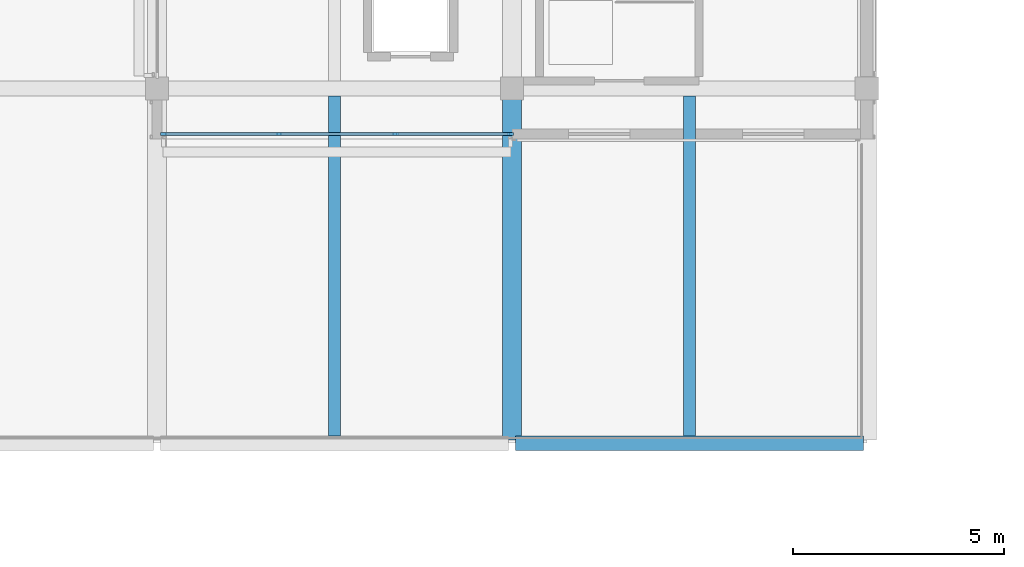
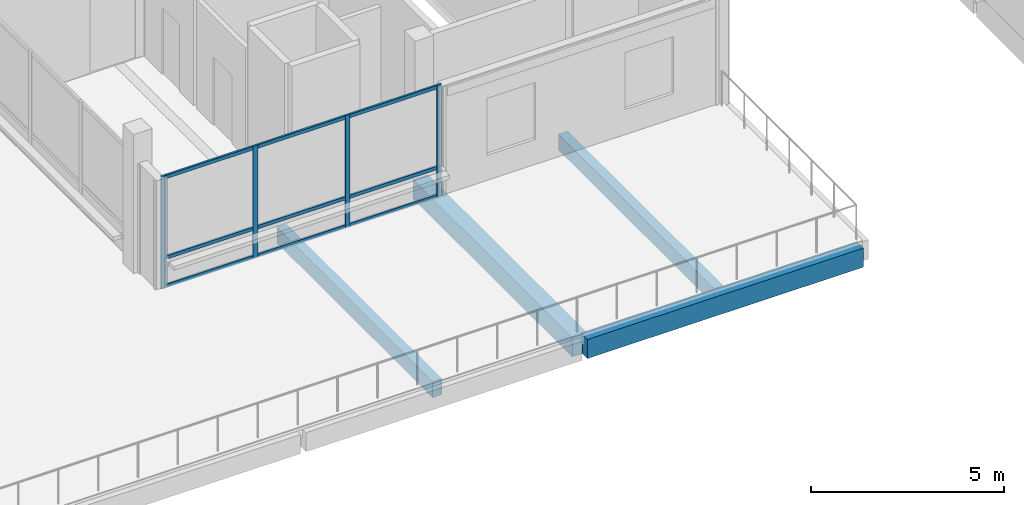
# One storey, part 2 of 59: 13 members, 4 beams, 1 element without a shape of its own.
"""IFC4 building model written with IfcOpenShell, lengths in metres."""

import ifcopenshell
import ifcopenshell.guid

model = None  # the IFC model being written
_history = None  # IfcOwnerHistory: only IFC2X3 demands one
_inside = {}  # id of a spatial element -> (the spatial element, [elements in it])
_under = {}  # id of a project, library or spatial element -> (it, [spatial elements below it])
_declared = {}  # id of a project -> (the project, [libraries it declares])
_typed = {}  # id of a type object -> (the type object, [elements of that type])
_made_of = {}  # id of a material, layer set ... -> (it, [elements and type objects made of it])


def new_model(schema):
    """Start an empty IFC model of exactly this schema.

    Asked for "IFC4X3", IfcOpenShell would pick the latest addendum, in which some entities
    have other attributes; the version numbers below select the first issue.
    IFC2X3 requires an IfcOwnerHistory on every rooted entity: one is made here for all.
    """
    global model, _history
    if schema == "IFC4X3":
        model = ifcopenshell.file(schema_version=(4, 3, 0, 0))
    else:
        model = ifcopenshell.file(schema=schema)
    _inside.clear()
    _under.clear()
    _declared.clear()
    _typed.clear()
    _made_of.clear()
    _history = None
    if model.schema == "IFC2X3":
        org = make("IfcOrganization", Name="unknown")
        user = make(
            "IfcPersonAndOrganization",
            ThePerson=make("IfcPerson", FamilyName="unknown"),
            TheOrganization=org,
        )
        app = make(
            "IfcApplication",
            ApplicationDeveloper=org,
            Version="unknown",
            ApplicationFullName="unknown",
            ApplicationIdentifier="unknown",
        )
        _history = make(
            "IfcOwnerHistory",
            OwningUser=user,
            OwningApplication=app,
            ChangeAction="ADDED",
            CreationDate=0,
        )
    return model


def make(cls, **values):
    """One entity of the class cls with the attributes given. An attribute that is None is left unset."""
    return model.create_entity(
        cls, **{name: value for name, value in values.items() if value is not None}
    )


def rooted(cls, **values):
    """An entity with a GlobalId (a new one), such as an element, a storey or a relation."""
    return make(cls, GlobalId=ifcopenshell.guid.new(), OwnerHistory=_history, **values)


def si_unit(unit_type, name, prefix=None):
    """IfcSIUnit, for example si_unit("LENGTHUNIT", "METRE", prefix="MILLI")."""
    return make("IfcSIUnit", UnitType=unit_type, Prefix=prefix, Name=name)


def assignment(units):
    """IfcUnitAssignment: the units of a project."""
    return None if units is None else make("IfcUnitAssignment", Units=units)


def point(xyz):
    """IfcCartesianPoint."""
    return None if xyz is None else make("IfcCartesianPoint", Coordinates=xyz)


def direction(xyz):
    """IfcDirection."""
    return None if xyz is None else make("IfcDirection", DirectionRatios=xyz)


def frame(location, z_axis=None, x_axis=None):
    """IfcAxis2Placement3D, a coordinate frame: its origin and axes. An axis left out is left unset."""
    return make(
        "IfcAxis2Placement3D",
        Location=point(location),
        Axis=direction(z_axis),
        RefDirection=direction(x_axis),
    )


def frame_2d(location, x_axis=None):
    """IfcAxis2Placement2D, a coordinate frame in the plane: its origin and x axis."""
    return make(
        "IfcAxis2Placement2D", Location=point(location), RefDirection=direction(x_axis)
    )


def origin():
    """The frame at (0, 0, 0) with its axes left unset."""
    return frame((0.0, 0.0, 0.0))


def origin_2d():
    """The frame at (0, 0) in the plane with its x axis left unset."""
    return frame_2d((0.0, 0.0))


def place(relative_to, where):
    """IfcLocalPlacement: puts the frame where relative to a parent placement (None: the world)."""
    return make(
        "IfcLocalPlacement", PlacementRelTo=relative_to, RelativePlacement=where
    )


def context(
    kind, dimensions, precision=None, world=None, true_north=None, identifier=None
):
    """IfcGeometricRepresentationContext, for example the 3D "Model" context."""
    return make(
        "IfcGeometricRepresentationContext",
        ContextIdentifier=identifier,
        ContextType=kind,
        CoordinateSpaceDimension=dimensions,
        Precision=precision,
        WorldCoordinateSystem=world,
        TrueNorth=true_north,
    )


def subcontext(parent, identifier, kind, view, scale=None):
    """IfcGeometricRepresentationSubContext, for example "Body" below "Model"."""
    return make(
        "IfcGeometricRepresentationSubContext",
        ContextIdentifier=identifier,
        ContextType=kind,
        ParentContext=parent,
        TargetScale=scale,
        TargetView=view,
    )


def project(units=None, contexts=None):
    """IfcProject with its units and contexts."""
    return rooted(
        "IfcProject",
        Name="project",
        RepresentationContexts=contexts,
        UnitsInContext=assignment(units),
    )


def spatial(cls, under=None, at=None, **own):
    """A site, building, storey or space (cls), placed at a placement, below another one or the project."""
    s = rooted(cls, ObjectPlacement=at, **own)
    if under is not None:
        _under.setdefault(under.id(), (under, []))[1].append(s)
    return s


def profile(cls, at=None, kind="AREA", **sizes):
    """A parametric profile (cls). Its sizes go by their IFC names, for example OverallWidth=200.0."""
    return make(cls, ProfileType=kind, Position=at, **sizes)


def rectangle(**sizes):
    """IfcRectangleProfileDef."""
    return profile("IfcRectangleProfileDef", **sizes)


def extrude(swept, where, along, depth):
    """IfcExtrudedAreaSolid: the profile swept, set in the frame where, extruded along a direction by depth."""
    return make(
        "IfcExtrudedAreaSolid",
        SweptArea=swept,
        Position=where,
        ExtrudedDirection=direction(along),
        Depth=depth,
    )


def shape(context_of_items, identifier, shape_type, items):
    """IfcShapeRepresentation: the items that make up one representation, for example the "Body"."""
    return make(
        "IfcShapeRepresentation",
        ContextOfItems=context_of_items,
        RepresentationIdentifier=identifier,
        RepresentationType=shape_type,
        Items=items,
    )


def material(Name=None, Category=None):
    """IfcMaterial."""
    return make("IfcMaterial", Name=Name, Category=Category)


def layer(
    of_material, thickness, ventilated=None, Name=None, Category=None, Priority=None
):
    """IfcMaterialLayer: one layer of a wall or slab, of a material (None: an air gap)."""
    return make(
        "IfcMaterialLayer",
        Material=of_material,
        LayerThickness=thickness,
        IsVentilated=ventilated,
        Name=Name,
        Category=Category,
        Priority=Priority,
    )


def layer_set(layers, Name=None):
    """IfcMaterialLayerSet."""
    return make("IfcMaterialLayerSet", MaterialLayers=layers, LayerSetName=Name)


def material_profile(
    of_material, cross_section, Name=None, Category=None, Priority=None
):
    """IfcMaterialProfile: a cross section and its material."""
    return make(
        "IfcMaterialProfile",
        Name=Name,
        Material=of_material,
        Profile=cross_section,
        Priority=Priority,
        Category=Category,
    )


def profile_set(profiles, Name=None, composite=None):
    """IfcMaterialProfileSet."""
    return make(
        "IfcMaterialProfileSet",
        Name=Name,
        MaterialProfiles=profiles,
        CompositeProfile=composite,
    )


def made_of(thing, what):
    """Note that an element or type object is made of a material, layer set ...; save() writes the relation."""
    if what is not None:
        _made_of.setdefault(what.id(), (what, []))[1].append(thing)
    return thing


def type_object(cls, material=None, **own):
    """A type object (cls), such as IfcWallType, which elements share."""
    return made_of(rooted(cls, **own), material)


def element(
    cls,
    number,
    at=None,
    inside=None,
    cuts=None,
    type_object=None,
    material=None,
    context=None,
    identifier="Body",
    shape_type=None,
    held_by="IfcProductDefinitionShape",
    body=None,
    shapes=None,
    **own,
):
    """One element of the class cls, such as IfcWall. Its Tag is "e" and its number.

    at: its placement. inside: the storey or other place that contains it. cuts: it is an
    opening in that element (IfcRelVoidsElement). A single representation is given by context,
    identifier, shape_type and body (its items); several are given by shapes. held_by: the class
    of the entity that holds the representations. save() writes the other relations.
    """
    e = rooted(cls, Tag="e%d" % number, ObjectPlacement=at, **own)
    if body is not None:
        shapes = [shape(context, identifier, shape_type, body)]
    if shapes is not None:
        e.Representation = make(held_by, Representations=shapes)
    if inside is not None:
        _inside.setdefault(inside.id(), (inside, []))[1].append(e)
    if cuts is not None:
        rooted(
            "IfcRelVoidsElement", RelatingBuildingElement=cuts, RelatedOpeningElement=e
        )
    if type_object is not None:
        _typed.setdefault(type_object.id(), (type_object, []))[1].append(e)
    return made_of(e, material)


def aggregate(whole, parts):
    """IfcRelAggregates: a whole, such as a stair, and the parts it consists of."""
    return rooted("IfcRelAggregates", RelatingObject=whole, RelatedObjects=parts)


def save(model, path):
    """Write the relations noted so far, then the file.

    IfcRelAggregates (storeys below a building ...), IfcRelContainedInSpatialStructure (elements
    in a storey), IfcRelDefinesByType, IfcRelAssociatesMaterial and IfcRelDeclares: one each for
    every whole, place, type object, material and project.
    """
    for whole, parts in _under.values():
        aggregate(whole, parts)
    for where, things in _inside.values():
        rooted(
            "IfcRelContainedInSpatialStructure",
            RelatedElements=things,
            RelatingStructure=where,
        )
    for kind, things in _typed.values():
        rooted("IfcRelDefinesByType", RelatedObjects=things, RelatingType=kind)
    for what, things in _made_of.values():
        rooted("IfcRelAssociatesMaterial", RelatedObjects=things, RelatingMaterial=what)
    for by, libraries in _declared.values():
        rooted("IfcRelDeclares", RelatingContext=by, RelatedDefinitions=libraries)
    model.write(path)


model = new_model("IFC4")

# Units and contexts
model_context = context("Model", 3, precision=1e-05, world=origin(), true_north=direction((0.0, 1.0)))
body_context = subcontext(model_context, "Body", "Model", "MODEL_VIEW")
ifc_project = project(units=[si_unit("LENGTHUNIT", "METRE"), si_unit("AREAUNIT", "SQUARE_METRE"), si_unit("VOLUMEUNIT", "CUBIC_METRE"), si_unit("PLANEANGLEUNIT", "RADIAN"), si_unit("MASSUNIT", "GRAM", prefix="KILO")], contexts=[model_context])

# Site, building, storey
site_placement = place(None, origin())
site = spatial("IfcSite", under=ifc_project, at=site_placement, CompositionType="ELEMENT")
building_placement = place(site_placement, origin())
building = spatial("IfcBuilding", under=site, at=building_placement, Name="Telukmera Botanical Conservatory", CompositionType="ELEMENT")
storey_placement = place(building_placement, frame((0.0, 0.0, 15.0)))
storey = spatial("IfcBuildingStorey", under=building, at=storey_placement, Name="L03", CompositionType="ELEMENT", Elevation=15.0)

# Beams
ifc_material_1 = material(Name="Concrete C40/50", Category="concrete")
ifc_material_profile_1 = material_profile(ifc_material_1, rectangle(XDim=0.449951171875, YDim=0.60009765625, at=origin_2d()), Name="RC 450x600")
ifc_profile_set_1 = profile_set([ifc_material_profile_1], Name="Concrete C40/50")
beam_type_1 = type_object("IfcBeamType", Name="Beam_B17", PredefinedType="BEAM", material=ifc_profile_set_1)
beam_1_placement = place(storey_placement, frame((33.60009765625, 17.679931640625, -0.300048828125), z_axis=(0.0, 1.0, 0.0), x_axis=(-1.0, 0.0, 0.0)))
element("IfcBeam", 1, at=beam_1_placement, inside=storey, type_object=beam_type_1, Name="Visitor Wing Transverse Beam L03", PredefinedType="BEAM", context=body_context, shape_type="SweptSolid", body=[
    extrude(rectangle(XDim=0.449951171875, YDim=0.60009765625, at=origin_2d()), origin(), (0.0, 0.0, 1.0), 8.239990234375),
])
ifc_material_profile_2 = material_profile(ifc_material_1, rectangle(XDim=0.280029296875, YDim=0.5, at=origin_2d()), Name="RC 280x500")
ifc_profile_set_2 = profile_set([ifc_material_profile_2], Name="Concrete C40/50")
beam_type_2 = type_object("IfcBeamType", Name="Beam_B26", PredefinedType="JOIST", material=ifc_profile_set_2)
for number, where, z_axis, x_axis, name in (
    (2, (29.39990234375, 17.77490234375, -0.25), (0.0, 1.0, 0.0), (-1.0, 0.0, 0.0), "Visitor Wing Floor Joist L03"),
    (3, (37.800048828125, 17.77490234375, -0.25), (0.0, 1.0, 0.0), (-1.0, 0.0, 0.0), "Visitor Wing Floor Joist L03"),
):
    element("IfcBeam", number, at=place(storey_placement, frame(where, z_axis=z_axis, x_axis=x_axis)), inside=storey, type_object=beam_type_2, Name=name, PredefinedType="JOIST", context=body_context, shape_type="SweptSolid", body=[
        extrude(rectangle(XDim=0.280029296875, YDim=0.5, at=origin_2d()), origin(), (0.0, 0.0, 1.0), 8.050048828125),
    ])
ifc_material_profile_3 = material_profile(ifc_material_1, rectangle(XDim=0.35009765625, YDim=0.60009765625, at=origin_2d()), Name="RC 350x600")
ifc_profile_set_3 = profile_set([ifc_material_profile_3], Name="Concrete C40/50")
beam_type_3 = type_object("IfcBeamType", Name="Beam_B9", PredefinedType="BEAM", material=ifc_profile_set_3)
beam_2_placement = place(storey_placement, frame((33.679931640625, 17.60009765625, -0.300048828125), z_axis=(1.0, 0.0, 0.0), x_axis=(0.0, 1.0, 0.0)))
element("IfcBeam", 4, at=beam_2_placement, inside=storey, type_object=beam_type_3, Name="Visitor Wing Grid Beam L03", PredefinedType="BEAM", context=body_context, shape_type="SweptSolid", body=[
    extrude(rectangle(XDim=0.35009765625, YDim=0.60009765625, at=origin_2d()), origin(), (0.0, 0.0, 1.0), 8.239990234375),
])

# Curtain wall, members
ifc_material_2 = material(Name="Anodised aluminium 6063-T6", Category="aluminium")
ifc_layer = layer(ifc_material_2, 0.179931640625)
ifc_layer_set = layer_set([ifc_layer], Name="Anodised aluminium 6063-T6")
curtain_wall_type = type_object("IfcCurtainWallType", Name="Visitor Rooftop Lounge Terrace Curtain Wall", PredefinedType="USERDEFINED", material=ifc_layer_set)
curtain_wall_placement = place(storey_placement, origin())
curtain_wall = element("IfcCurtainWall", 5, at=curtain_wall_placement, inside=storey, type_object=curtain_wall_type, Name="Unitised Curtain Wall CW11 V3:L03:S1", ObjectType="UNITISED CURTAIN WALL", PredefinedType="USERDEFINED")
ifc_material_profile_4 = material_profile(ifc_material_2, rectangle(XDim=0.06005859375, YDim=0.139892578125, at=origin_2d()), Name="ALU MULL 60x140")
ifc_profile_set_4 = profile_set([ifc_material_profile_4], Name="Anodised aluminium 6063-T6")
member_type_1 = type_object("IfcMemberType", Name="Curtain Wall Extruded Mullion 60x140", PredefinedType="MULLION", material=ifc_profile_set_4)
member_1_placement = place(storey_placement, frame((25.35205078125, 24.919921875, 0.0), z_axis=(0.0, 0.0, 1.0), x_axis=(0.0, 1.0, 0.0)))
member_1 = element("IfcMember", 6, at=member_1_placement, type_object=member_type_1, Name="CW11 mullion 1", PredefinedType="MULLION", context=body_context, shape_type="SweptSolid", body=[
    extrude(rectangle(XDim=0.06005859375, YDim=0.139892578125, at=origin_2d()), origin(), (0.0, 0.0, 1.0), 3.550048828125),
])
member_2_placement = place(storey_placement, frame((28.08056640625, 24.919921875, 0.0), z_axis=(0.0, 0.0, 1.0), x_axis=(0.0, 1.0, 0.0)))
member_2 = element("IfcMember", 7, at=member_2_placement, type_object=member_type_1, Name="CW11 mullion 2", PredefinedType="MULLION", context=body_context, shape_type="SweptSolid", body=[
    extrude(rectangle(XDim=0.06005859375, YDim=0.139892578125, at=origin_2d()), origin(), (0.0, 0.0, 1.0), 3.550048828125),
])
member_3_placement = place(storey_placement, frame((30.83935546875, 24.919921875, 0.0), z_axis=(0.0, 0.0, 1.0), x_axis=(0.0, 1.0, 0.0)))
member_3 = element("IfcMember", 8, at=member_3_placement, type_object=member_type_1, Name="CW11 mullion 3", PredefinedType="MULLION", context=body_context, shape_type="SweptSolid", body=[
    extrude(rectangle(XDim=0.06005859375, YDim=0.139892578125, at=origin_2d()), origin(), (0.0, 0.0, 1.0), 3.550048828125),
])
member_4_placement = place(storey_placement, frame((33.568115234375, 24.919921875, 0.0), z_axis=(0.0, 0.0, 1.0), x_axis=(0.0, 1.0, 0.0)))
member_4 = element("IfcMember", 9, at=member_4_placement, type_object=member_type_1, Name="CW11 mullion 4", PredefinedType="MULLION", context=body_context, shape_type="SweptSolid", body=[
    extrude(rectangle(XDim=0.06005859375, YDim=0.139892578125, at=origin_2d()), origin(), (0.0, 0.0, 1.0), 3.550048828125),
])
ifc_material_profile_5 = material_profile(ifc_material_2, rectangle(XDim=0.06005859375, YDim=0.110107421875, at=origin_2d()), Name="ALU TRAN 60x110")
ifc_profile_set_5 = profile_set([ifc_material_profile_5], Name="Anodised aluminium 6063-T6")
member_type_2 = type_object("IfcMemberType", Name="Curtain Wall Extruded Transom 60x110", PredefinedType="USERDEFINED", material=ifc_profile_set_5)
member_5_placement = place(storey_placement, frame((25.382080078125, 24.919921875, 0.054931640625), z_axis=(1.0, 0.0, 0.0), x_axis=(0.0, 1.0, 0.0)))
member_5 = element("IfcMember", 10, at=member_5_placement, type_object=member_type_2, Name="CW11 transom 1.1", ObjectType="TRANSOM", PredefinedType="USERDEFINED", context=body_context, shape_type="SweptSolid", body=[
    extrude(rectangle(XDim=0.06005859375, YDim=0.110107421875, at=origin_2d()), origin(), (0.0, 0.0, 1.0), 2.668701171875),
])
member_6_placement = place(storey_placement, frame((25.382080078125, 24.919921875, 0.949951171875), z_axis=(1.0, 0.0, 0.0), x_axis=(0.0, 1.0, 0.0)))
member_6 = element("IfcMember", 11, at=member_6_placement, type_object=member_type_2, Name="CW11 transom 1.2", ObjectType="TRANSOM", PredefinedType="USERDEFINED", context=body_context, shape_type="SweptSolid", body=[
    extrude(rectangle(XDim=0.06005859375, YDim=0.110107421875, at=origin_2d()), origin(), (0.0, 0.0, 1.0), 2.668701171875),
])
member_7_placement = place(storey_placement, frame((25.382080078125, 24.919921875, 3.4951171875), z_axis=(1.0, 0.0, 0.0), x_axis=(0.0, 1.0, 0.0)))
member_7 = element("IfcMember", 12, at=member_7_placement, type_object=member_type_2, Name="CW11 transom 1.3", ObjectType="TRANSOM", PredefinedType="USERDEFINED", context=body_context, shape_type="SweptSolid", body=[
    extrude(rectangle(XDim=0.06005859375, YDim=0.110107421875, at=origin_2d()), origin(), (0.0, 0.0, 1.0), 2.668701171875),
])
member_8_placement = place(storey_placement, frame((28.110595703125, 24.919921875, 0.054931640625), z_axis=(1.0, 0.0, 0.0), x_axis=(0.0, 1.0, 0.0)))
member_8 = element("IfcMember", 13, at=member_8_placement, type_object=member_type_2, Name="CW11 transom 2.1", ObjectType="TRANSOM", PredefinedType="USERDEFINED", context=body_context, shape_type="SweptSolid", body=[
    extrude(rectangle(XDim=0.06005859375, YDim=0.110107421875, at=origin_2d()), origin(), (0.0, 0.0, 1.0), 2.69873046875),
])
member_9_placement = place(storey_placement, frame((28.110595703125, 24.919921875, 0.949951171875), z_axis=(1.0, 0.0, 0.0), x_axis=(0.0, 1.0, 0.0)))
member_9 = element("IfcMember", 14, at=member_9_placement, type_object=member_type_2, Name="CW11 transom 2.2", ObjectType="TRANSOM", PredefinedType="USERDEFINED", context=body_context, shape_type="SweptSolid", body=[
    extrude(rectangle(XDim=0.06005859375, YDim=0.110107421875, at=origin_2d()), origin(), (0.0, 0.0, 1.0), 2.69873046875),
])
member_10_placement = place(storey_placement, frame((28.110595703125, 24.919921875, 3.4951171875), z_axis=(1.0, 0.0, 0.0), x_axis=(0.0, 1.0, 0.0)))
member_10 = element("IfcMember", 15, at=member_10_placement, type_object=member_type_2, Name="CW11 transom 2.3", ObjectType="TRANSOM", PredefinedType="USERDEFINED", context=body_context, shape_type="SweptSolid", body=[
    extrude(rectangle(XDim=0.06005859375, YDim=0.110107421875, at=origin_2d()), origin(), (0.0, 0.0, 1.0), 2.69873046875),
])
member_11_placement = place(storey_placement, frame((30.869384765625, 24.919921875, 0.054931640625), z_axis=(1.0, 0.0, 0.0), x_axis=(0.0, 1.0, 0.0)))
member_11 = element("IfcMember", 16, at=member_11_placement, type_object=member_type_2, Name="CW11 transom 3.1", ObjectType="TRANSOM", PredefinedType="USERDEFINED", context=body_context, shape_type="SweptSolid", body=[
    extrude(rectangle(XDim=0.06005859375, YDim=0.110107421875, at=origin_2d()), origin(), (0.0, 0.0, 1.0), 2.668701171875),
])
member_12_placement = place(storey_placement, frame((30.869384765625, 24.919921875, 0.949951171875), z_axis=(1.0, 0.0, 0.0), x_axis=(0.0, 1.0, 0.0)))
member_12 = element("IfcMember", 17, at=member_12_placement, type_object=member_type_2, Name="CW11 transom 3.2", ObjectType="TRANSOM", PredefinedType="USERDEFINED", context=body_context, shape_type="SweptSolid", body=[
    extrude(rectangle(XDim=0.06005859375, YDim=0.110107421875, at=origin_2d()), origin(), (0.0, 0.0, 1.0), 2.668701171875),
])
member_13_placement = place(storey_placement, frame((30.869384765625, 24.919921875, 3.4951171875), z_axis=(1.0, 0.0, 0.0), x_axis=(0.0, 1.0, 0.0)))
member_13 = element("IfcMember", 18, at=member_13_placement, type_object=member_type_2, Name="CW11 transom 3.3", ObjectType="TRANSOM", PredefinedType="USERDEFINED", context=body_context, shape_type="SweptSolid", body=[
    extrude(rectangle(XDim=0.06005859375, YDim=0.110107421875, at=origin_2d()), origin(), (0.0, 0.0, 1.0), 2.668701171875),
])
aggregate(curtain_wall, [member_1, member_2, member_3, member_4, member_5, member_6, member_7, member_8, member_9, member_10, member_11, member_12, member_13])

save(model, "model.ifc")
